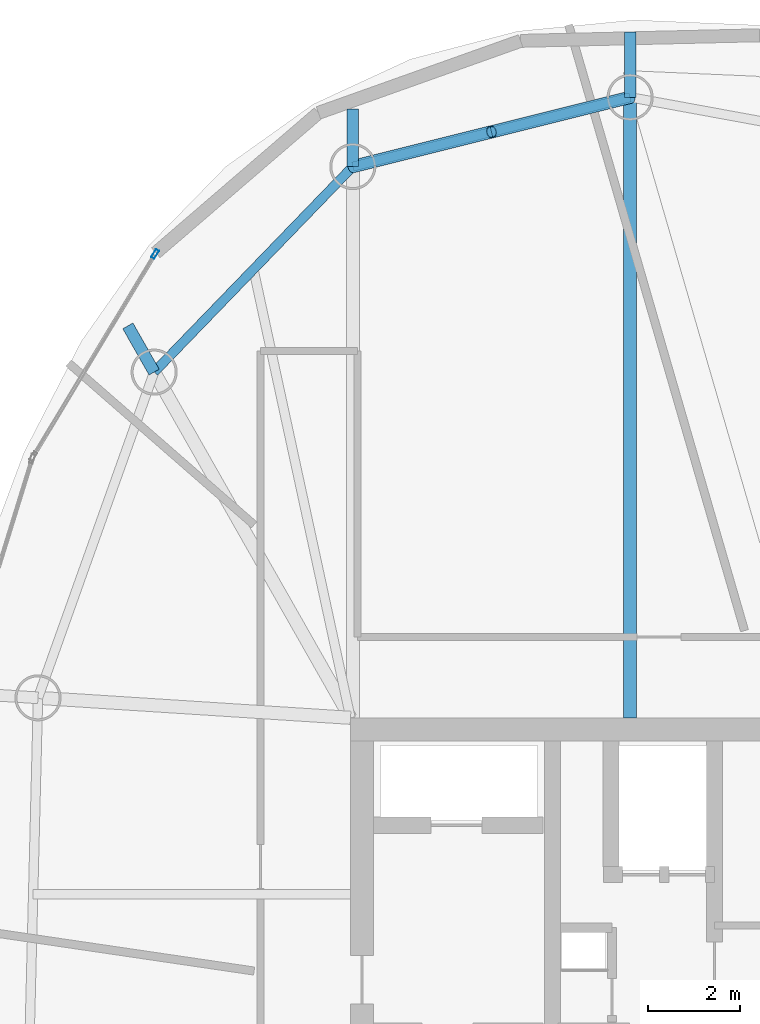
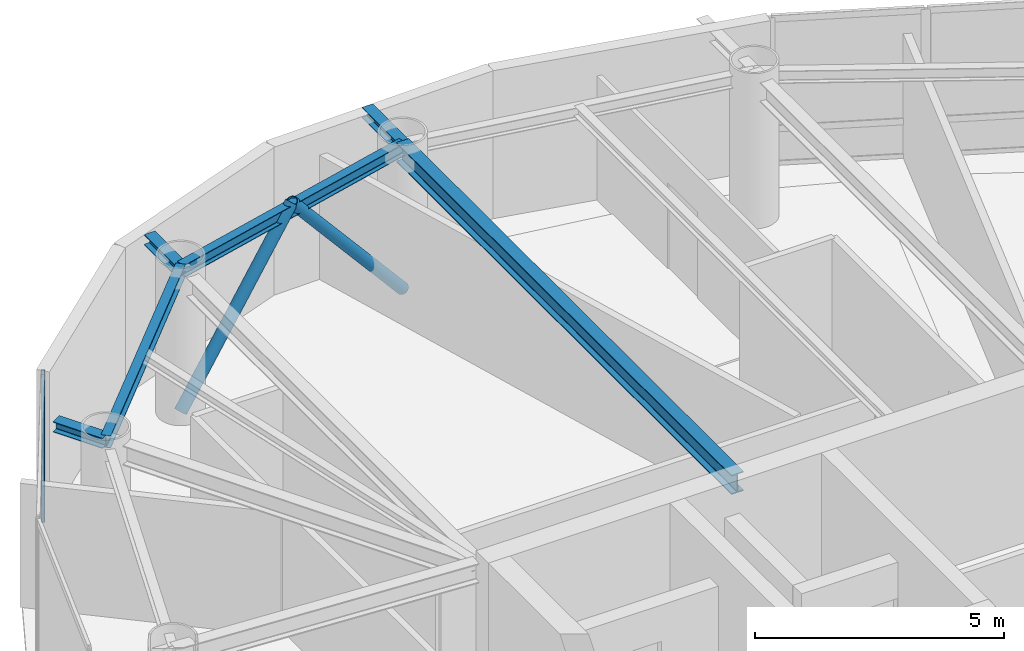
# One storey, part 9 of 19: 6 beams, 3 members, 1 element without a shape of its own.
"""IFC4 building model written with IfcOpenShell, lengths in metres."""

from ifc_helpers import new_model, si_unit, direction, frame, origin, origin_2d, place, context, subcontext, project, spatial, hollow_rectangle, hollow_circle, i_section, extrude, material, layer, layer_set, material_profile, profile_set, type_object, element, aggregate, save


model = new_model("IFC4")

# Units and contexts
model_context = context("Model", 3, precision=1e-05, world=origin(), true_north=direction((0.0, 1.0)))
body_context = subcontext(model_context, "Body", "Model", "MODEL_VIEW")
ifc_project = project(units=[si_unit("LENGTHUNIT", "METRE"), si_unit("AREAUNIT", "SQUARE_METRE"), si_unit("VOLUMEUNIT", "CUBIC_METRE"), si_unit("PLANEANGLEUNIT", "RADIAN"), si_unit("MASSUNIT", "GRAM", prefix="KILO")], contexts=[model_context])

# Site, building, storey
site_placement = place(None, origin())
site = spatial("IfcSite", under=ifc_project, at=site_placement, CompositionType="ELEMENT")
building_placement = place(site_placement, origin())
building = spatial("IfcBuilding", under=site, at=building_placement, Name="Bramvorn Convention Spire", CompositionType="ELEMENT")
storey_placement = place(building_placement, frame((0.0, 0.0, 272.85009765625)))
storey = spatial("IfcBuildingStorey", under=building, at=storey_placement, Name="L69", CompositionType="ELEMENT", Elevation=272.85009765625)

# Beams
ifc_material_1 = material(Name="Steel CSA G40.21 Grade 350 (350W)", Category="steel")
ifc_material_profile_1 = material_profile(ifc_material_1, i_section(OverallWidth=0.25390625, OverallDepth=0.2529296875, WebThickness=0.008544921875, FlangeThickness=0.01416015625, FilletRadius=0.011962890625, at=origin_2d()))
ifc_profile_set_1 = profile_set([ifc_material_profile_1], Name="Steel CSA G40.21 Grade 350 (350W) - W250X73")
beam_type_1 = type_object("IfcBeamType", Name="BM-W250X73", PredefinedType="BEAM", material=ifc_profile_set_1)
beam_1_placement = place(storey_placement, frame((32.8115234375, 46.90087890625, 3.498291015625), z_axis=(0.0, 1.0, 0.0), x_axis=(-1.0, 0.0, 0.0)))
element("IfcBeam", 1, at=beam_1_placement, inside=storey, type_object=beam_type_1, Name="L69 slab-edge cantilever tip beam MC08", PredefinedType="BEAM", context=body_context, shape_type="SweptSolid", body=[
    extrude(i_section(OverallWidth=0.25390625, OverallDepth=0.2529296875, WebThickness=0.008544921875, FlangeThickness=0.01416015625, FilletRadius=0.011962890625, at=origin_2d()), origin(), (0.0, 0.0, 1.0), 1.41259765625),
])
beam_2_placement = place(storey_placement, frame((26.800048828125, 45.39892578125, 3.498291015625), z_axis=(0.0, 1.0, 0.0), x_axis=(-1.0, 0.0, 0.0)))
element("IfcBeam", 2, at=beam_2_placement, inside=storey, type_object=beam_type_1, Name="L69 slab-edge cantilever tip beam MC09", PredefinedType="BEAM", context=body_context, shape_type="SweptSolid", body=[
    extrude(i_section(OverallWidth=0.25390625, OverallDepth=0.2529296875, WebThickness=0.008544921875, FlangeThickness=0.01416015625, FilletRadius=0.011962890625, at=origin_2d()), origin(), (0.0, 0.0, 1.0), 1.24560546875),
])
beam_3_placement = place(storey_placement, frame((22.49365234375, 40.94384765625, 3.498291015625), z_axis=(-0.493947541461, 0.869491705702, 0.0), x_axis=(-0.869491705702, -0.493947541461, 0.0)))
element("IfcBeam", 3, at=beam_3_placement, inside=storey, type_object=beam_type_1, Name="L69 slab-edge cantilever tip beam MC10", PredefinedType="BEAM", context=body_context, shape_type="SweptSolid", body=[
    extrude(i_section(OverallWidth=0.25390625, OverallDepth=0.2529296875, WebThickness=0.008544921875, FlangeThickness=0.01416015625, FilletRadius=0.011962890625, at=origin_2d()), origin(), (0.0, 0.0, 1.0), 1.152587890625),
])
ifc_material_profile_2 = material_profile(ifc_material_1, i_section(OverallWidth=0.202880859375, OverallDepth=0.302978515625, WebThickness=0.007568359375, FlangeThickness=0.01318359375, FilletRadius=0.013916015625, at=origin_2d()))
ifc_profile_set_2 = profile_set([ifc_material_profile_2], Name="Steel CSA G40.21 Grade 350 (350W) - W310X60")
beam_type_2 = type_object("IfcBeamType", Name="BM-W310X60", PredefinedType="JOIST", material=ifc_profile_set_2)
for number, where, z_axis, x_axis, name in (
    (4, (32.8115234375, 46.90087890625, 3.473388671875), (-0.970177255997, -0.24239655927, 0.0), (0.24239655927, -0.970177255997, 0.0), "L69 mega-column ring beam 08"),
    (5, (26.800048828125, 45.39892578125, 3.473388671875), (-0.695007159797, -0.719002814898, 0.0), (0.719002814898, -0.695007159797, 0.0), "L69 mega-column ring beam 09"),
):
    element("IfcBeam", number, at=place(storey_placement, frame(where, z_axis=z_axis, x_axis=x_axis)), inside=storey, type_object=beam_type_2, Name=name, PredefinedType="JOIST", context=body_context, shape_type="SweptSolid", body=[
        extrude(i_section(OverallWidth=0.202880859375, OverallDepth=0.302978515625, WebThickness=0.007568359375, FlangeThickness=0.01318359375, FilletRadius=0.013916015625, at=origin_2d()), origin(), (0.0, 0.0, 1.0), 6.1962890625),
    ])
ifc_material_profile_3 = material_profile(ifc_material_1, i_section(OverallWidth=0.283935546875, OverallDepth=0.47607421875, WebThickness=0.014892578125, FlangeThickness=0.02392578125, FilletRadius=0.01806640625, at=origin_2d()))
ifc_profile_set_3 = profile_set([ifc_material_profile_3], Name="Steel CSA G40.21 Grade 350 (350W) - W460X158")
beam_type_3 = type_object("IfcBeamType", Name="BM-W460X158", PredefinedType="SPANDREL", material=ifc_profile_set_3)
beam_4_placement = place(storey_placement, frame((32.8115234375, 33.449951171875, 3.386962890625), z_axis=(0.0, 1.0, 0.0), x_axis=(-1.0, 0.0, 0.0)))
element("IfcBeam", 6, at=beam_4_placement, inside=storey, type_object=beam_type_3, Name="L69 radial floor girder MC08", PredefinedType="SPANDREL", context=body_context, shape_type="SweptSolid", body=[
    extrude(i_section(OverallWidth=0.283935546875, OverallDepth=0.47607421875, WebThickness=0.014892578125, FlangeThickness=0.02392578125, FilletRadius=0.01806640625, at=origin_2d()), origin(), (0.0, 0.0, 1.0), 13.450927734375),
])

# Curtain wall, member
ifc_material_2 = material(Name="Anodised Bronze Unitised Curtain Wall", Category="aluminium")
ifc_layer = layer(ifc_material_2, 0.179931640625)
ifc_layer_set = layer_set([ifc_layer], Name="Anodised Bronze Unitised Curtain Wall - CW-OFF-FRIT")
curtain_wall_type = type_object("IfcCurtainWallType", Name="CW-OFF-FRIT", PredefinedType="USERDEFINED", material=ifc_layer_set)
curtain_wall_placement = place(storey_placement, origin())
curtain_wall = element("IfcCurtainWall", 7, at=curtain_wall_placement, inside=storey, type_object=curtain_wall_type, Name="L69 fritted glass curtain wall 14", ObjectType="UNITISED CURTAIN WALL", PredefinedType="USERDEFINED")
ifc_material_3 = material(Name="Anodised Bronze Aluminium 6063-T6", Category="aluminium")
ifc_material_profile_4 = material_profile(ifc_material_3, hollow_rectangle(XDim=0.080078125, YDim=0.199951171875, WallThickness=0.00390625, InnerFilletRadius=0.0009765625, OuterFilletRadius=0.00390625, at=origin_2d()))
ifc_profile_set_4 = profile_set([ifc_material_profile_4], Name="Anodised Bronze Aluminium 6063-T6 - CWM80X200")
member_type_1 = type_object("IfcMemberType", Name="CW-MUL-180", PredefinedType="MULLION", material=ifc_profile_set_4)
member_placement = place(storey_placement, frame((22.5146484375, 43.5048828125, 0.0), z_axis=(0.0, 0.0, 1.0), x_axis=(-0.856771443327, 0.515696319455, 0.0)))
member = element("IfcMember", 8, at=member_placement, type_object=member_type_1, Name="CW3 mullion 2", PredefinedType="MULLION", context=body_context, shape_type="SweptSolid", body=[
    extrude(hollow_rectangle(XDim=0.080078125, YDim=0.199951171875, WallThickness=0.00390625, InnerFilletRadius=0.0009765625, OuterFilletRadius=0.00390625, at=origin_2d()), origin(), (0.0, 0.0, 1.0), 3.625),
])
aggregate(curtain_wall, [member])

# Members
ifc_material_profile_5 = material_profile(ifc_material_1, hollow_circle(Radius=0.136474609375, WallThickness=0.0126953125, at=origin_2d()))
ifc_profile_set_5 = profile_set([ifc_material_profile_5], Name="Steel CSA G40.21 Grade 350 (350W) - CHS273X13")
member_type_2 = type_object("IfcMemberType", Name="MBR-CHS273X13", PredefinedType="BRACE", material=ifc_profile_set_5)
for number, where, z_axis, x_axis, name in (
    (9, (32.8115234375, 46.90087890625, 0.0), (-0.630340941886, -0.157482840906, 0.760177250253), (0.242387293712, -0.970179570929, 0.0), "L69 perimeter Gothic lancet brace 8A"),
    (10, (26.800048828125, 45.39892578125, 0.0), (0.630310085311, 0.157487923192, 0.76020178269), (-0.242405825514, 0.9701749408, 0.0), "L69 perimeter Gothic lancet brace 8B"),
):
    element("IfcMember", number, at=place(storey_placement, frame(where, z_axis=z_axis, x_axis=x_axis)), inside=storey, type_object=member_type_2, Name=name, PredefinedType="BRACE", context=body_context, shape_type="SweptSolid", body=[
        extrude(hollow_circle(Radius=0.136474609375, WallThickness=0.0126953125, at=origin_2d()), origin(), (0.0, 0.0, 1.0), 4.7685546875),
    ])

save(model, "model.ifc")
